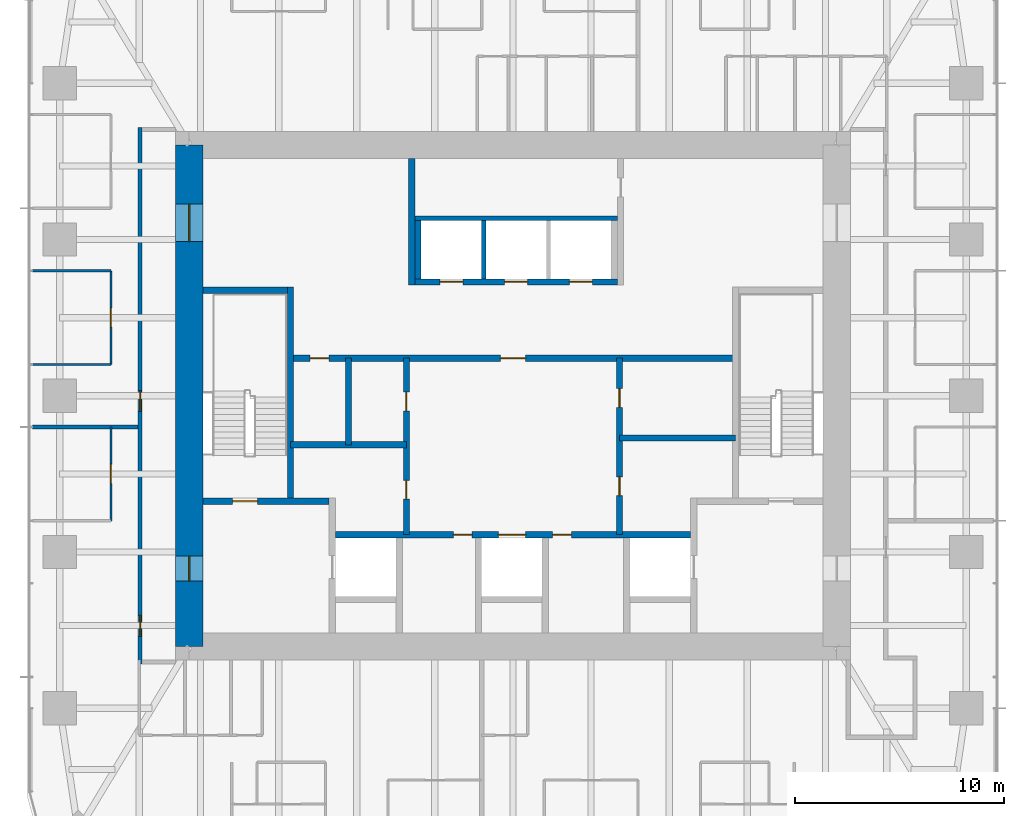
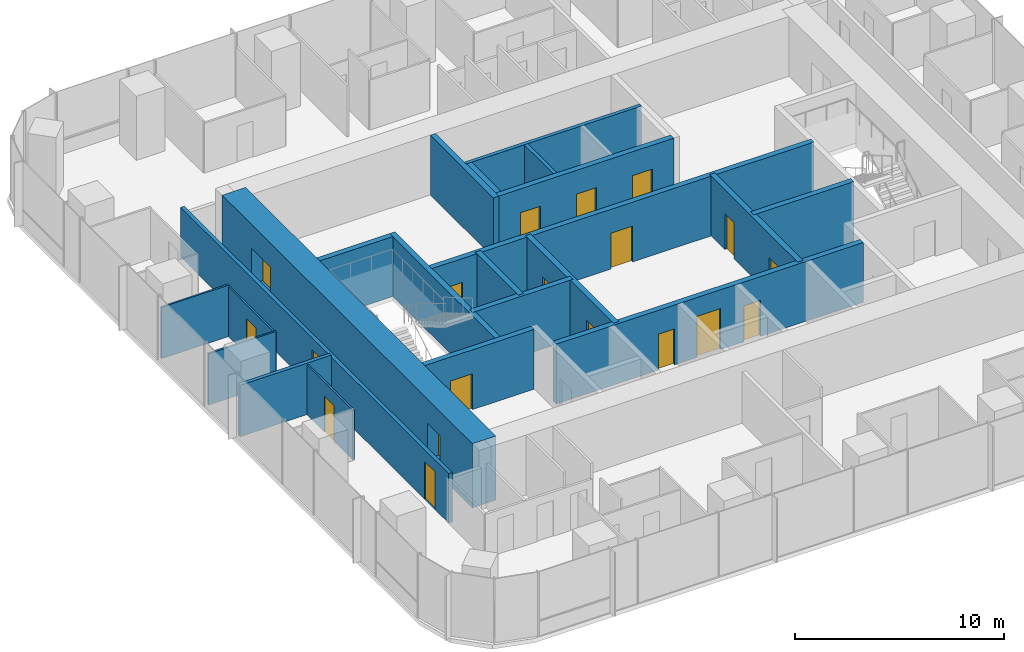
# One storey, part 9 of 12: 22 walls, 19 doors, 19 openings.
"""IFC4 building model written with IfcOpenShell, lengths in metres."""

import ifcopenshell
import ifcopenshell.guid

model = None  # the IFC model being written
_history = None  # IfcOwnerHistory: only IFC2X3 demands one
_inside = {}  # id of a spatial element -> (the spatial element, [elements in it])
_under = {}  # id of a project, library or spatial element -> (it, [spatial elements below it])
_declared = {}  # id of a project -> (the project, [libraries it declares])
_typed = {}  # id of a type object -> (the type object, [elements of that type])
_made_of = {}  # id of a material, layer set ... -> (it, [elements and type objects made of it])


def new_model(schema):
    """Start an empty IFC model of exactly this schema.

    Asked for "IFC4X3", IfcOpenShell would pick the latest addendum, in which some entities
    have other attributes; the version numbers below select the first issue.
    IFC2X3 requires an IfcOwnerHistory on every rooted entity: one is made here for all.
    """
    global model, _history
    if schema == "IFC4X3":
        model = ifcopenshell.file(schema_version=(4, 3, 0, 0))
    else:
        model = ifcopenshell.file(schema=schema)
    _inside.clear()
    _under.clear()
    _declared.clear()
    _typed.clear()
    _made_of.clear()
    _history = None
    if model.schema == "IFC2X3":
        org = make("IfcOrganization", Name="unknown")
        user = make(
            "IfcPersonAndOrganization",
            ThePerson=make("IfcPerson", FamilyName="unknown"),
            TheOrganization=org,
        )
        app = make(
            "IfcApplication",
            ApplicationDeveloper=org,
            Version="unknown",
            ApplicationFullName="unknown",
            ApplicationIdentifier="unknown",
        )
        _history = make(
            "IfcOwnerHistory",
            OwningUser=user,
            OwningApplication=app,
            ChangeAction="ADDED",
            CreationDate=0,
        )
    return model


def make(cls, **values):
    """One entity of the class cls with the attributes given. An attribute that is None is left unset."""
    return model.create_entity(
        cls, **{name: value for name, value in values.items() if value is not None}
    )


def rooted(cls, **values):
    """An entity with a GlobalId (a new one), such as an element, a storey or a relation."""
    return make(cls, GlobalId=ifcopenshell.guid.new(), OwnerHistory=_history, **values)


def si_unit(unit_type, name, prefix=None):
    """IfcSIUnit, for example si_unit("LENGTHUNIT", "METRE", prefix="MILLI")."""
    return make("IfcSIUnit", UnitType=unit_type, Prefix=prefix, Name=name)


def assignment(units):
    """IfcUnitAssignment: the units of a project."""
    return None if units is None else make("IfcUnitAssignment", Units=units)


def point(xyz):
    """IfcCartesianPoint."""
    return None if xyz is None else make("IfcCartesianPoint", Coordinates=xyz)


def direction(xyz):
    """IfcDirection."""
    return None if xyz is None else make("IfcDirection", DirectionRatios=xyz)


def frame(location, z_axis=None, x_axis=None):
    """IfcAxis2Placement3D, a coordinate frame: its origin and axes. An axis left out is left unset."""
    return make(
        "IfcAxis2Placement3D",
        Location=point(location),
        Axis=direction(z_axis),
        RefDirection=direction(x_axis),
    )


def frame_2d(location, x_axis=None):
    """IfcAxis2Placement2D, a coordinate frame in the plane: its origin and x axis."""
    return make(
        "IfcAxis2Placement2D", Location=point(location), RefDirection=direction(x_axis)
    )


def origin():
    """The frame at (0, 0, 0) with its axes left unset."""
    return frame((0.0, 0.0, 0.0))


def place(relative_to, where):
    """IfcLocalPlacement: puts the frame where relative to a parent placement (None: the world)."""
    return make(
        "IfcLocalPlacement", PlacementRelTo=relative_to, RelativePlacement=where
    )


def context(
    kind, dimensions, precision=None, world=None, true_north=None, identifier=None
):
    """IfcGeometricRepresentationContext, for example the 3D "Model" context."""
    return make(
        "IfcGeometricRepresentationContext",
        ContextIdentifier=identifier,
        ContextType=kind,
        CoordinateSpaceDimension=dimensions,
        Precision=precision,
        WorldCoordinateSystem=world,
        TrueNorth=true_north,
    )


def subcontext(parent, identifier, kind, view, scale=None):
    """IfcGeometricRepresentationSubContext, for example "Body" below "Model"."""
    return make(
        "IfcGeometricRepresentationSubContext",
        ContextIdentifier=identifier,
        ContextType=kind,
        ParentContext=parent,
        TargetScale=scale,
        TargetView=view,
    )


def project(units=None, contexts=None):
    """IfcProject with its units and contexts."""
    return rooted(
        "IfcProject",
        Name="project",
        RepresentationContexts=contexts,
        UnitsInContext=assignment(units),
    )


def spatial(cls, under=None, at=None, **own):
    """A site, building, storey or space (cls), placed at a placement, below another one or the project."""
    s = rooted(cls, ObjectPlacement=at, **own)
    if under is not None:
        _under.setdefault(under.id(), (under, []))[1].append(s)
    return s


def profile(cls, at=None, kind="AREA", **sizes):
    """A parametric profile (cls). Its sizes go by their IFC names, for example OverallWidth=200.0."""
    return make(cls, ProfileType=kind, Position=at, **sizes)


def rectangle(**sizes):
    """IfcRectangleProfileDef."""
    return profile("IfcRectangleProfileDef", **sizes)


def extrude(swept, where, along, depth):
    """IfcExtrudedAreaSolid: the profile swept, set in the frame where, extruded along a direction by depth."""
    return make(
        "IfcExtrudedAreaSolid",
        SweptArea=swept,
        Position=where,
        ExtrudedDirection=direction(along),
        Depth=depth,
    )


def shape(context_of_items, identifier, shape_type, items):
    """IfcShapeRepresentation: the items that make up one representation, for example the "Body"."""
    return make(
        "IfcShapeRepresentation",
        ContextOfItems=context_of_items,
        RepresentationIdentifier=identifier,
        RepresentationType=shape_type,
        Items=items,
    )


def material(Name=None, Category=None):
    """IfcMaterial."""
    return make("IfcMaterial", Name=Name, Category=Category)


def layer(
    of_material, thickness, ventilated=None, Name=None, Category=None, Priority=None
):
    """IfcMaterialLayer: one layer of a wall or slab, of a material (None: an air gap)."""
    return make(
        "IfcMaterialLayer",
        Material=of_material,
        LayerThickness=thickness,
        IsVentilated=ventilated,
        Name=Name,
        Category=Category,
        Priority=Priority,
    )


def layer_set(layers, Name=None):
    """IfcMaterialLayerSet."""
    return make("IfcMaterialLayerSet", MaterialLayers=layers, LayerSetName=Name)


def made_of(thing, what):
    """Note that an element or type object is made of a material, layer set ...; save() writes the relation."""
    if what is not None:
        _made_of.setdefault(what.id(), (what, []))[1].append(thing)
    return thing


def type_object(cls, material=None, **own):
    """A type object (cls), such as IfcWallType, which elements share."""
    return made_of(rooted(cls, **own), material)


def element(
    cls,
    number,
    at=None,
    inside=None,
    cuts=None,
    type_object=None,
    material=None,
    context=None,
    identifier="Body",
    shape_type=None,
    held_by="IfcProductDefinitionShape",
    body=None,
    shapes=None,
    **own,
):
    """One element of the class cls, such as IfcWall. Its Tag is "e" and its number.

    at: its placement. inside: the storey or other place that contains it. cuts: it is an
    opening in that element (IfcRelVoidsElement). A single representation is given by context,
    identifier, shape_type and body (its items); several are given by shapes. held_by: the class
    of the entity that holds the representations. save() writes the other relations.
    """
    e = rooted(cls, Tag="e%d" % number, ObjectPlacement=at, **own)
    if body is not None:
        shapes = [shape(context, identifier, shape_type, body)]
    if shapes is not None:
        e.Representation = make(held_by, Representations=shapes)
    if inside is not None:
        _inside.setdefault(inside.id(), (inside, []))[1].append(e)
    if cuts is not None:
        rooted(
            "IfcRelVoidsElement", RelatingBuildingElement=cuts, RelatedOpeningElement=e
        )
    if type_object is not None:
        _typed.setdefault(type_object.id(), (type_object, []))[1].append(e)
    return made_of(e, material)


def fill(opening, filler):
    """IfcRelFillsElement: the door or window that sits in an opening."""
    return rooted(
        "IfcRelFillsElement",
        RelatingOpeningElement=opening,
        RelatedBuildingElement=filler,
    )


def aggregate(whole, parts):
    """IfcRelAggregates: a whole, such as a stair, and the parts it consists of."""
    return rooted("IfcRelAggregates", RelatingObject=whole, RelatedObjects=parts)


def save(model, path):
    """Write the relations noted so far, then the file.

    IfcRelAggregates (storeys below a building ...), IfcRelContainedInSpatialStructure (elements
    in a storey), IfcRelDefinesByType, IfcRelAssociatesMaterial and IfcRelDeclares: one each for
    every whole, place, type object, material and project.
    """
    for whole, parts in _under.values():
        aggregate(whole, parts)
    for where, things in _inside.values():
        rooted(
            "IfcRelContainedInSpatialStructure",
            RelatedElements=things,
            RelatingStructure=where,
        )
    for kind, things in _typed.values():
        rooted("IfcRelDefinesByType", RelatedObjects=things, RelatingType=kind)
    for what, things in _made_of.values():
        rooted("IfcRelAssociatesMaterial", RelatedObjects=things, RelatingMaterial=what)
    for by, libraries in _declared.values():
        rooted("IfcRelDeclares", RelatingContext=by, RelatedDefinitions=libraries)
    model.write(path)


model = new_model("IFC4")

# Units and contexts
model_context = context("Model", 3, precision=1e-05, world=origin(), true_north=direction((0.0, 1.0)))
body_context = subcontext(model_context, "Body", "Model", "MODEL_VIEW")
ifc_project = project(units=[si_unit("LENGTHUNIT", "METRE"), si_unit("AREAUNIT", "SQUARE_METRE"), si_unit("VOLUMEUNIT", "CUBIC_METRE"), si_unit("PLANEANGLEUNIT", "RADIAN"), si_unit("MASSUNIT", "GRAM", prefix="KILO")], contexts=[model_context])

# Site, building, storey
site_placement = place(None, origin())
site = spatial("IfcSite", under=ifc_project, at=site_placement, CompositionType="ELEMENT")
building_placement = place(site_placement, origin())
building = spatial("IfcBuilding", under=site, at=building_placement, Name="Khuree Lantern Residences", CompositionType="ELEMENT")
storey_placement = place(building_placement, frame((0.0, 0.0, 330.75)))
storey = spatial("IfcBuildingStorey", under=building, at=storey_placement, Name="L83", CompositionType="ELEMENT", Elevation=330.75)

# Wall, openings, doors
ifc_material_1 = material(Name="Dense concrete blockwork", Category="masonry")
ifc_layer_1 = layer(ifc_material_1, 0.300048828125)
ifc_layer_set_1 = layer_set([ifc_layer_1], Name="CORE PARTITION WALL CPW300 EI 120")
wall_type_1 = type_object("IfcWallType", Name="CORE PARTITION WALL CPW300 EI 120", PredefinedType="PARTITIONING", material=ifc_layer_set_1)
wall_1_placement = place(storey_placement, frame((-8.5, -6.64990234375, 0.0), z_axis=(0.0, 0.0, 1.0), x_axis=(1.0, 0.0, 0.0)))
wall_1 = element("IfcWall", 1, at=wall_1_placement, inside=storey, type_object=wall_type_1, Name="L83 CORE WALL FLROW", PredefinedType="PARTITIONING", context=body_context, shape_type="SweptSolid", body=[
    extrude(rectangle(XDim=17.0, YDim=0.300048828125, at=frame_2d((8.5, 0.0))), origin(), (0.0, 0.0, 1.0), 3.5),
])
opening_1_placement = place(wall_1_placement, frame((7.800048828125, 0.0, 0.0)))
opening_1 = element("IfcOpeningElement", 2, at=opening_1_placement, cuts=wall_1, Name="Opening 83-012", PredefinedType="OPENING", context=body_context, shape_type="SweptSolid", body=[
    extrude(rectangle(XDim=1.300048828125, YDim=2.39990234375, at=frame_2d((0.64990234375, 1.199951171875))), frame((0.0, 0.16015625, 0.0), z_axis=(0.0, -1.0, 0.0), x_axis=(1.0, 0.0, 0.0)), (0.0, 0.0, 1.0), 0.320068359375),
])
opening_2_placement = place(wall_1_placement, frame((5.64990234375, 0.0, 0.0)))
opening_2 = element("IfcOpeningElement", 3, at=opening_2_placement, cuts=wall_1, Name="Opening 83-014", PredefinedType="OPENING", context=body_context, shape_type="SweptSolid", body=[
    extrude(rectangle(XDim=0.89990234375, YDim=2.10009765625, at=frame_2d((0.449951171875, 1.050048828125))), frame((0.0, 0.16015625, 0.0), z_axis=(0.0, -1.0, 0.0), x_axis=(1.0, 0.0, 0.0)), (0.0, 0.0, 1.0), 0.320068359375),
])
opening_3_placement = place(wall_1_placement, frame((10.39990234375, 0.0, 0.0)))
opening_3 = element("IfcOpeningElement", 4, at=opening_3_placement, cuts=wall_1, Name="Opening 83-015", PredefinedType="OPENING", context=body_context, shape_type="SweptSolid", body=[
    extrude(rectangle(XDim=0.89990234375, YDim=2.10009765625, at=frame_2d((0.449951171875, 1.050048828125))), frame((0.0, 0.16015625, 0.0), z_axis=(0.0, -1.0, 0.0), x_axis=(1.0, 0.0, 0.0)), (0.0, 0.0, 1.0), 0.320068359375),
])
ifc_material_2 = material(Name="Steel door leaf in steel frame", Category="steel")
door_type_1 = type_object("IfcDoorType", Name="DOOR 900X2100 EI 60", OperationType="SINGLE_SWING_LEFT", PredefinedType="DOOR", material=ifc_material_2)
door_1_placement = place(opening_2_placement, origin())
door_1 = element("IfcDoor", 5, at=door_1_placement, inside=storey, type_object=door_type_1, Name="Refuse chute room door 83-014", OperationType="SINGLE_SWING_LEFT", OverallHeight=2.10009765625, OverallWidth=0.89990234375, PredefinedType="DOOR", context=body_context, shape_type="SweptSolid", body=[
    extrude(rectangle(XDim=0.89990234375, YDim=2.10009765625, at=frame_2d((0.449951171875, 1.050048828125))), frame((0.0, 0.02490234375, 0.0), z_axis=(0.0, -1.0, 0.0), x_axis=(1.0, 0.0, 0.0)), (0.0, 0.0, 1.0), 0.050048828125),
])
fill(opening_2, door_1)
door_type_2 = type_object("IfcDoorType", Name="DOOR 900X2100 EI 60 RIGHT HAND", OperationType="SINGLE_SWING_RIGHT", PredefinedType="DOOR", material=ifc_material_2)
door_2_placement = place(opening_3_placement, origin())
door_2 = element("IfcDoor", 6, at=door_2_placement, inside=storey, type_object=door_type_2, Name="Electrical and plumbing riser door 83-015", OperationType="SINGLE_SWING_RIGHT", OverallHeight=2.10009765625, OverallWidth=0.89990234375, PredefinedType="DOOR", context=body_context, shape_type="SweptSolid", body=[
    extrude(rectangle(XDim=0.89990234375, YDim=2.10009765625, at=frame_2d((0.449951171875, 1.050048828125))), frame((0.0, 0.02490234375, 0.0), z_axis=(0.0, -1.0, 0.0), x_axis=(1.0, 0.0, 0.0)), (0.0, 0.0, 1.0), 0.050048828125),
])
fill(opening_3, door_2)
ifc_material_3 = material(Name="Stainless steel lift landing door", Category="steel")
door_type_3 = type_object("IfcDoorType", Name="LIFT LANDING DOOR 1300X2400 E 60", OperationType="DOUBLE_DOOR_SLIDING", PredefinedType="DOOR", material=ifc_material_3)
door_3_placement = place(opening_1_placement, origin())
door_3 = element("IfcDoor", 7, at=door_3_placement, inside=storey, type_object=door_type_3, Name="Landing door SL1 83-012", OperationType="DOUBLE_DOOR_SLIDING", OverallHeight=2.39990234375, OverallWidth=1.300048828125, PredefinedType="DOOR", context=body_context, shape_type="SweptSolid", body=[
    extrude(rectangle(XDim=1.300048828125, YDim=2.39990234375, at=frame_2d((0.64990234375, 1.199951171875))), frame((0.0, 0.02490234375, 0.0), z_axis=(0.0, -1.0, 0.0), x_axis=(1.0, 0.0, 0.0)), (0.0, 0.0, 1.0), 0.050048828125),
])
fill(opening_1, door_3)

wall_2_placement = place(storey_placement, frame((-4.699951171875, 5.449951171875, 0.0), z_axis=(0.0, 0.0, 1.0), x_axis=(1.0, 0.0, 0.0)))
wall_2 = element("IfcWall", 8, at=wall_2_placement, inside=storey, type_object=wall_type_1, Name="L83 CORE WALL PHS", PredefinedType="PARTITIONING", context=body_context, shape_type="SweptSolid", body=[
    extrude(rectangle(XDim=9.699951171875, YDim=0.300048828125, at=frame_2d((4.85009765625, 0.0))), origin(), (0.0, 0.0, 1.0), 3.5),
])
opening_4_placement = place(wall_2_placement, frame((1.199951171875, 0.0, 0.0)))
opening_4 = element("IfcOpeningElement", 9, at=opening_4_placement, cuts=wall_2, Name="Opening 83-009", PredefinedType="OPENING", context=body_context, shape_type="SweptSolid", body=[
    extrude(rectangle(XDim=1.10009765625, YDim=2.10009765625, at=frame_2d((0.550048828125, 1.050048828125))), frame((0.0, 0.16015625, 0.0), z_axis=(0.0, -1.0, 0.0), x_axis=(1.0, 0.0, 0.0)), (0.0, 0.0, 1.0), 0.320068359375),
])
opening_5_placement = place(wall_2_placement, frame((4.300048828125, 0.0, 0.0)))
opening_5 = element("IfcOpeningElement", 10, at=opening_5_placement, cuts=wall_2, Name="Opening 83-010", PredefinedType="OPENING", context=body_context, shape_type="SweptSolid", body=[
    extrude(rectangle(XDim=1.10009765625, YDim=2.10009765625, at=frame_2d((0.550048828125, 1.050048828125))), frame((0.0, 0.16015625, 0.0), z_axis=(0.0, -1.0, 0.0), x_axis=(1.0, 0.0, 0.0)), (0.0, 0.0, 1.0), 0.320068359375),
])
opening_6_placement = place(wall_2_placement, frame((7.39990234375, 0.0, 0.0)))
opening_6 = element("IfcOpeningElement", 11, at=opening_6_placement, cuts=wall_2, Name="Opening 83-011", PredefinedType="OPENING", context=body_context, shape_type="SweptSolid", body=[
    extrude(rectangle(XDim=1.10009765625, YDim=2.10009765625, at=frame_2d((0.550048828125, 1.050048828125))), frame((0.0, 0.16015625, 0.0), z_axis=(0.0, -1.0, 0.0), x_axis=(1.0, 0.0, 0.0)), (0.0, 0.0, 1.0), 0.320068359375),
])
door_type_4 = type_object("IfcDoorType", Name="LIFT LANDING DOOR 1100X2100 E 60", OperationType="DOUBLE_DOOR_SLIDING", PredefinedType="DOOR", material=ifc_material_3)
door_4_placement = place(opening_4_placement, origin())
door_4 = element("IfcDoor", 12, at=door_4_placement, inside=storey, type_object=door_type_4, Name="Landing door PH1 83-009", OperationType="DOUBLE_DOOR_SLIDING", OverallHeight=2.10009765625, OverallWidth=1.10009765625, PredefinedType="DOOR", context=body_context, shape_type="SweptSolid", body=[
    extrude(rectangle(XDim=1.10009765625, YDim=2.10009765625, at=frame_2d((0.550048828125, 1.050048828125))), frame((0.0, 0.02490234375, 0.0), z_axis=(0.0, -1.0, 0.0), x_axis=(1.0, 0.0, 0.0)), (0.0, 0.0, 1.0), 0.050048828125),
])
fill(opening_4, door_4)
door_5_placement = place(opening_5_placement, origin())
door_5 = element("IfcDoor", 13, at=door_5_placement, inside=storey, type_object=door_type_4, Name="Landing door PH2 83-010", OperationType="DOUBLE_DOOR_SLIDING", OverallHeight=2.10009765625, OverallWidth=1.10009765625, PredefinedType="DOOR", context=body_context, shape_type="SweptSolid", body=[
    extrude(rectangle(XDim=1.10009765625, YDim=2.10009765625, at=frame_2d((0.550048828125, 1.050048828125))), frame((0.0, 0.02490234375, 0.0), z_axis=(0.0, -1.0, 0.0), x_axis=(1.0, 0.0, 0.0)), (0.0, 0.0, 1.0), 0.050048828125),
])
fill(opening_5, door_5)
door_6_placement = place(opening_6_placement, origin())
door_6 = element("IfcDoor", 14, at=door_6_placement, inside=storey, type_object=door_type_4, Name="Landing door PH3 83-011", OperationType="DOUBLE_DOOR_SLIDING", OverallHeight=2.10009765625, OverallWidth=1.10009765625, PredefinedType="DOOR", context=body_context, shape_type="SweptSolid", body=[
    extrude(rectangle(XDim=1.10009765625, YDim=2.10009765625, at=frame_2d((0.550048828125, 1.050048828125))), frame((0.0, 0.02490234375, 0.0), z_axis=(0.0, -1.0, 0.0), x_axis=(1.0, 0.0, 0.0)), (0.0, 0.0, 1.0), 0.050048828125),
])
fill(opening_6, door_6)

# Wall
wall_3_placement = place(storey_placement, frame((-4.550048828125, 5.60009765625, 0.0), z_axis=(0.0, 0.0, 1.0), x_axis=(0.0, 1.0, 0.0)))
element("IfcWall", 15, at=wall_3_placement, inside=storey, type_object=wall_type_1, Name="L83 CORE WALL PHW", PredefinedType="PARTITIONING", context=body_context, shape_type="SweptSolid", body=[
    extrude(rectangle(XDim=2.7998046875, YDim=0.300048828125, at=frame_2d((1.39990234375, 0.0))), origin(), (0.0, 0.0, 1.0), 3.5),
])

# Wall, openings, doors
wall_4_placement = place(storey_placement, frame((-10.64990234375, 1.800048828125, 0.0), z_axis=(0.0, 0.0, 1.0), x_axis=(1.0, 0.0, 0.0)))
wall_4 = element("IfcWall", 16, at=wall_4_placement, inside=storey, type_object=wall_type_1, Name="L83 CORE WALL LLS", PredefinedType="PARTITIONING", context=body_context, shape_type="SweptSolid", body=[
    extrude(rectangle(XDim=21.2998046875, YDim=0.300048828125, at=frame_2d((10.64990234375, 0.0))), origin(), (0.0, 0.0, 1.0), 3.5),
])
opening_7_placement = place(wall_4_placement, frame((10.050048828125, 0.0, 0.0)))
opening_7 = element("IfcOpeningElement", 17, at=opening_7_placement, cuts=wall_4, Name="Opening 83-013", PredefinedType="OPENING", context=body_context, shape_type="SweptSolid", body=[
    extrude(rectangle(XDim=1.199951171875, YDim=2.10009765625, at=frame_2d((0.60009765625, 1.050048828125))), frame((0.0, 0.16015625, 0.0), z_axis=(0.0, -1.0, 0.0), x_axis=(1.0, 0.0, 0.0)), (0.0, 0.0, 1.0), 0.320068359375),
])
opening_8_placement = place(wall_4_placement, frame((0.93798828125, 0.0, 0.0)))
opening_8 = element("IfcOpeningElement", 18, at=opening_8_placement, cuts=wall_4, Name="Opening 83-018", PredefinedType="OPENING", context=body_context, shape_type="SweptSolid", body=[
    extrude(rectangle(XDim=0.89990234375, YDim=2.10009765625, at=frame_2d((0.449951171875, 1.050048828125))), frame((0.0, 0.16015625, 0.0), z_axis=(0.0, -1.0, 0.0), x_axis=(1.0, 0.0, 0.0)), (0.0, 0.0, 1.0), 0.320068359375),
])
door_type_5 = type_object("IfcDoorType", Name="DOOR 1200X2100 EI 60", OperationType="SINGLE_SWING_LEFT", PredefinedType="DOOR", material=ifc_material_2)
door_7_placement = place(opening_7_placement, origin())
door_7 = element("IfcDoor", 19, at=door_7_placement, inside=storey, type_object=door_type_5, Name="Service lift lobby door 83-013", OperationType="SINGLE_SWING_LEFT", OverallHeight=2.10009765625, OverallWidth=1.199951171875, PredefinedType="DOOR", context=body_context, shape_type="SweptSolid", body=[
    extrude(rectangle(XDim=1.199951171875, YDim=2.10009765625, at=frame_2d((0.60009765625, 1.050048828125))), frame((0.0, 0.02490234375, 0.0), z_axis=(0.0, -1.0, 0.0), x_axis=(1.0, 0.0, 0.0)), (0.0, 0.0, 1.0), 0.050048828125),
])
fill(opening_7, door_7)
ifc_material_4 = material(Name="Timber door leaf in hardwood frame", Category="wood")
door_type_6 = type_object("IfcDoorType", Name="DOOR 900X2100", OperationType="SINGLE_SWING_LEFT", PredefinedType="DOOR", material=ifc_material_4)
door_8_placement = place(opening_8_placement, origin())
door_8 = element("IfcDoor", 20, at=door_8_placement, inside=storey, type_object=door_type_6, Name="IT room door 83-018", OperationType="SINGLE_SWING_LEFT", OverallHeight=2.10009765625, OverallWidth=0.89990234375, PredefinedType="DOOR", context=body_context, shape_type="SweptSolid", body=[
    extrude(rectangle(XDim=0.89990234375, YDim=2.10009765625, at=frame_2d((0.449951171875, 1.050048828125))), frame((0.0, 0.02490234375, 0.0), z_axis=(0.0, -1.0, 0.0), x_axis=(1.0, 0.0, 0.0)), (0.0, 0.0, 1.0), 0.050048828125),
])
fill(opening_8, door_8)

wall_5_placement = place(storey_placement, frame((-5.10009765625, -6.64990234375, 0.0), z_axis=(0.0, 0.0, 1.0), x_axis=(0.0, 1.0, 0.0)))
wall_5 = element("IfcWall", 21, at=wall_5_placement, inside=storey, type_object=wall_type_1, Name="L83 CORE WALL SVW", PredefinedType="PARTITIONING", context=body_context, shape_type="SweptSolid", body=[
    extrude(rectangle(XDim=8.449951171875, YDim=0.300048828125, at=frame_2d((4.22509765625, 0.0))), origin(), (0.0, 0.0, 1.0), 3.5),
])
opening_9_placement = place(wall_5_placement, frame((1.699951171875, 0.0, 0.0)))
opening_9 = element("IfcOpeningElement", 22, at=opening_9_placement, cuts=wall_5, Name="Opening 83-016", PredefinedType="OPENING", context=body_context, shape_type="SweptSolid", body=[
    extrude(rectangle(XDim=0.89990234375, YDim=2.10009765625, at=frame_2d((0.449951171875, 1.050048828125))), frame((0.0, 0.16015625, 0.0), z_axis=(0.0, -1.0, 0.0), x_axis=(1.0, 0.0, 0.0)), (0.0, 0.0, 1.0), 0.320068359375),
])
opening_10_placement = place(wall_5_placement, frame((5.925048828125, 0.0, 0.0)))
opening_10 = element("IfcOpeningElement", 23, at=opening_10_placement, cuts=wall_5, Name="Opening 83-017", PredefinedType="OPENING", context=body_context, shape_type="SweptSolid", body=[
    extrude(rectangle(XDim=0.89990234375, YDim=2.10009765625, at=frame_2d((0.449951171875, 1.050048828125))), frame((0.0, 0.16015625, 0.0), z_axis=(0.0, -1.0, 0.0), x_axis=(1.0, 0.0, 0.0)), (0.0, 0.0, 1.0), 0.320068359375),
])
door_9_placement = place(opening_9_placement, origin())
door_9 = element("IfcDoor", 24, at=door_9_placement, inside=storey, type_object=door_type_6, Name="Bulky waste store door 83-016", OperationType="SINGLE_SWING_LEFT", OverallHeight=2.10009765625, OverallWidth=0.89990234375, PredefinedType="DOOR", context=body_context, shape_type="SweptSolid", body=[
    extrude(rectangle(XDim=0.89990234375, YDim=2.10009765625, at=frame_2d((0.449951171875, 1.050048828125))), frame((0.0, 0.02490234375, 0.0), z_axis=(0.0, -1.0, 0.0), x_axis=(1.0, 0.0, 0.0)), (0.0, 0.0, 1.0), 0.050048828125),
])
fill(opening_9, door_9)
door_10_placement = place(opening_10_placement, origin())
door_10 = element("IfcDoor", 25, at=door_10_placement, inside=storey, type_object=door_type_6, Name="Building management room door 83-017", OperationType="SINGLE_SWING_LEFT", OverallHeight=2.10009765625, OverallWidth=0.89990234375, PredefinedType="DOOR", context=body_context, shape_type="SweptSolid", body=[
    extrude(rectangle(XDim=0.89990234375, YDim=2.10009765625, at=frame_2d((0.449951171875, 1.050048828125))), frame((0.0, 0.02490234375, 0.0), z_axis=(0.0, -1.0, 0.0), x_axis=(1.0, 0.0, 0.0)), (0.0, 0.0, 1.0), 0.050048828125),
])
fill(opening_10, door_10)

wall_6_placement = place(storey_placement, frame((5.10009765625, -6.64990234375, 0.0), z_axis=(0.0, 0.0, 1.0), x_axis=(0.0, 1.0, 0.0)))
wall_6 = element("IfcWall", 26, at=wall_6_placement, inside=storey, type_object=wall_type_1, Name="L83 CORE WALL SVE", PredefinedType="PARTITIONING", context=body_context, shape_type="SweptSolid", body=[
    extrude(rectangle(XDim=8.449951171875, YDim=0.300048828125, at=frame_2d((4.22509765625, 0.0))), origin(), (0.0, 0.0, 1.0), 3.5),
])
opening_11_placement = place(wall_6_placement, frame((1.865966796875, 0.0, 0.0)))
opening_11 = element("IfcOpeningElement", 27, at=opening_11_placement, cuts=wall_6, Name="Opening 83-019", PredefinedType="OPENING", context=body_context, shape_type="SweptSolid", body=[
    extrude(rectangle(XDim=0.89990234375, YDim=2.10009765625, at=frame_2d((0.449951171875, 1.050048828125))), frame((0.0, 0.16015625, 0.0), z_axis=(0.0, -1.0, 0.0), x_axis=(1.0, 0.0, 0.0)), (0.0, 0.0, 1.0), 0.320068359375),
])
opening_12_placement = place(wall_6_placement, frame((6.091064453125, 0.0, 0.0)))
opening_12 = element("IfcOpeningElement", 28, at=opening_12_placement, cuts=wall_6, Name="Opening 83-020", PredefinedType="OPENING", context=body_context, shape_type="SweptSolid", body=[
    extrude(rectangle(XDim=0.89990234375, YDim=2.10009765625, at=frame_2d((0.449951171875, 1.050048828125))), frame((0.0, 0.16015625, 0.0), z_axis=(0.0, -1.0, 0.0), x_axis=(1.0, 0.0, 0.0)), (0.0, 0.0, 1.0), 0.320068359375),
])
door_11_placement = place(opening_11_placement, origin())
door_11 = element("IfcDoor", 29, at=door_11_placement, inside=storey, type_object=door_type_6, Name="Parcel room door 83-019", OperationType="SINGLE_SWING_LEFT", OverallHeight=2.10009765625, OverallWidth=0.89990234375, PredefinedType="DOOR", context=body_context, shape_type="SweptSolid", body=[
    extrude(rectangle(XDim=0.89990234375, YDim=2.10009765625, at=frame_2d((0.449951171875, 1.050048828125))), frame((0.0, 0.02490234375, 0.0), z_axis=(0.0, -1.0, 0.0), x_axis=(1.0, 0.0, 0.0)), (0.0, 0.0, 1.0), 0.050048828125),
])
fill(opening_11, door_11)
door_type_7 = type_object("IfcDoorType", Name="DOOR 900X2100 RIGHT HAND", OperationType="SINGLE_SWING_RIGHT", PredefinedType="DOOR", material=ifc_material_4)
door_12_placement = place(opening_12_placement, origin())
door_12 = element("IfcDoor", 30, at=door_12_placement, inside=storey, type_object=door_type_7, Name="Bulky waste store door 83-020", OperationType="SINGLE_SWING_RIGHT", OverallHeight=2.10009765625, OverallWidth=0.89990234375, PredefinedType="DOOR", context=body_context, shape_type="SweptSolid", body=[
    extrude(rectangle(XDim=0.89990234375, YDim=2.10009765625, at=frame_2d((0.449951171875, 1.050048828125))), frame((0.0, 0.02490234375, 0.0), z_axis=(0.0, -1.0, 0.0), x_axis=(1.0, 0.0, 0.0)), (0.0, 0.0, 1.0), 0.050048828125),
])
fill(opening_12, door_12)

# Walls
wall_7_placement = place(storey_placement, frame((-10.64990234375, -2.35009765625, 0.0), z_axis=(0.0, 0.0, 1.0), x_axis=(1.0, 0.0, 0.0)))
element("IfcWall", 31, at=wall_7_placement, inside=storey, type_object=wall_type_1, Name="L83 CORE WALL WX", PredefinedType="PARTITIONING", context=body_context, shape_type="SweptSolid", body=[
    extrude(rectangle(XDim=5.5498046875, YDim=0.300048828125, at=frame_2d((2.77490234375, 0.0))), origin(), (0.0, 0.0, 1.0), 3.5),
])
wall_8_placement = place(storey_placement, frame((-7.875, -2.35009765625, 0.0), z_axis=(0.0, 0.0, 1.0), x_axis=(0.0, 1.0, 0.0)))
element("IfcWall", 32, at=wall_8_placement, inside=storey, type_object=wall_type_1, Name="L83 CORE WALL WV", PredefinedType="PARTITIONING", context=body_context, shape_type="SweptSolid", body=[
    extrude(rectangle(XDim=4.150146484375, YDim=0.300048828125, at=frame_2d((2.0751953125, 0.0))), origin(), (0.0, 0.0, 1.0), 3.5),
])
wall_9_placement = place(storey_placement, frame((10.64990234375, -2.01806640625, 0.0), z_axis=(0.0, 0.0, 1.0), x_axis=(-1.0, 0.0, 0.0)))
element("IfcWall", 33, at=wall_9_placement, inside=storey, type_object=wall_type_1, Name="L83 CORE WALL EX", PredefinedType="PARTITIONING", context=body_context, shape_type="SweptSolid", body=[
    extrude(rectangle(XDim=5.5498046875, YDim=0.300048828125, at=frame_2d((2.77490234375, 0.0))), origin(), (0.0, 0.0, 1.0), 3.5),
])
wall_10_placement = place(storey_placement, frame((-4.85009765625, 5.300048828125, 0.0), z_axis=(0.0, 0.0, 1.0), x_axis=(0.0, 1.0, 0.0)))
element("IfcWall", 34, at=wall_10_placement, inside=storey, type_object=wall_type_1, Name="L83 CORE WALL NW", PredefinedType="PARTITIONING", context=body_context, shape_type="SweptSolid", body=[
    extrude(rectangle(XDim=6.050048828125, YDim=0.300048828125, at=frame_2d((3.02490234375, 0.0))), origin(), (0.0, 0.0, 1.0), 3.5),
])

# Wall, openings, doors
ifc_material_5 = material(Name="Gypsum board on steel studs", Category="steel")
ifc_layer_2 = layer(ifc_material_5, 0.199951171875)
ifc_layer_set_2 = layer_set([ifc_layer_2], Name="CORRIDOR WALL CRW200 EI 60")
wall_type_2 = type_object("IfcWallType", Name="CORRIDOR WALL CRW200 EI 60", PredefinedType="PARTITIONING", material=ifc_layer_set_2)
wall_11_placement = place(storey_placement, frame((-17.85009765625, 12.85009765625, 0.0), z_axis=(0.0, 0.0, 1.0), x_axis=(0.0, -1.0, 0.0)))
wall_11 = element("IfcWall", 35, at=wall_11_placement, inside=storey, type_object=wall_type_2, Name="L83 CORRIDOR WALL WEST 1", PredefinedType="PARTITIONING", context=body_context, shape_type="SweptSolid", body=[
    extrude(rectangle(XDim=25.7001953125, YDim=0.199951171875, at=frame_2d((12.85009765625, 0.0))), origin(), (0.0, 0.0, 1.0), 2.89990234375),
])
opening_13_placement = place(wall_11_placement, frame((12.60009765625, 0.0, 0.0)))
opening_13 = element("IfcOpeningElement", 36, at=opening_13_placement, cuts=wall_11, Name="Opening 83-042", PredefinedType="OPENING", context=body_context, shape_type="SweptSolid", body=[
    extrude(rectangle(XDim=1.0, YDim=2.199951171875, at=frame_2d((0.5, 1.10009765625))), frame((0.0, 0.10986328125, 0.0), z_axis=(0.0, -1.0, 0.0), x_axis=(1.0, 0.0, 0.0)), (0.0, 0.0, 1.0), 0.219970703125),
])
opening_14_placement = place(wall_11_placement, frame((23.365966796875, 0.0, 0.0)))
opening_14 = element("IfcOpeningElement", 37, at=opening_14_placement, cuts=wall_11, Name="Opening 83-050", PredefinedType="OPENING", context=body_context, shape_type="SweptSolid", body=[
    extrude(rectangle(XDim=1.0, YDim=2.199951171875, at=frame_2d((0.5, 1.10009765625))), frame((0.0, 0.10986328125, 0.0), z_axis=(0.0, -1.0, 0.0), x_axis=(1.0, 0.0, 0.0)), (0.0, 0.0, 1.0), 0.219970703125),
])
door_type_8 = type_object("IfcDoorType", Name="APARTMENT ENTRANCE DOOR 1000X2200 EI 30S", OperationType="SINGLE_SWING_LEFT", PredefinedType="DOOR", material=ifc_material_4)
door_13_placement = place(opening_13_placement, origin())
door_13 = element("IfcDoor", 38, at=door_13_placement, inside=storey, type_object=door_type_8, Name="Apartment 02 entrance door 83-042", OperationType="SINGLE_SWING_LEFT", OverallHeight=2.199951171875, OverallWidth=1.0, PredefinedType="DOOR", context=body_context, shape_type="SweptSolid", body=[
    extrude(rectangle(XDim=1.0, YDim=2.199951171875, at=frame_2d((0.5, 1.10009765625))), frame((0.0, 0.02490234375, 0.0), z_axis=(0.0, -1.0, 0.0), x_axis=(1.0, 0.0, 0.0)), (0.0, 0.0, 1.0), 0.050048828125),
])
fill(opening_13, door_13)
door_type_9 = type_object("IfcDoorType", Name="APARTMENT ENTRANCE DOOR 1000X2200 EI 30S RIGHT HAND", OperationType="SINGLE_SWING_RIGHT", PredefinedType="DOOR", material=ifc_material_4)
door_14_placement = place(opening_14_placement, origin())
door_14 = element("IfcDoor", 39, at=door_14_placement, inside=storey, type_object=door_type_9, Name="Apartment 03 entrance door 83-050", OperationType="SINGLE_SWING_RIGHT", OverallHeight=2.199951171875, OverallWidth=1.0, PredefinedType="DOOR", context=body_context, shape_type="SweptSolid", body=[
    extrude(rectangle(XDim=1.0, YDim=2.199951171875, at=frame_2d((0.5, 1.10009765625))), frame((0.0, 0.02490234375, 0.0), z_axis=(0.0, -1.0, 0.0), x_axis=(1.0, 0.0, 0.0)), (0.0, 0.0, 1.0), 0.050048828125),
])
fill(opening_14, door_14)

ifc_material_6 = material(Name="Concrete C50/60", Category="concrete")
ifc_layer_3 = layer(ifc_material_6, 1.300048828125)
ifc_layer_set_3 = layer_set([ifc_layer_3], Name="CW1300-C50 CORE WALL C50 1300")
wall_type_3 = type_object("IfcWallType", Name="CW1300-C50 CORE WALL C50 1300", PredefinedType="SHEAR", material=ifc_layer_set_3)
wall_12_placement = place(storey_placement, frame((-15.5, -12.0, -0.25), z_axis=(0.0, 0.0, 1.0), x_axis=(0.0, 1.0, 0.0)))
wall_12 = element("IfcWall", 40, at=wall_12_placement, inside=storey, type_object=wall_type_3, Name="Core wall W", PredefinedType="SHEAR", context=body_context, shape_type="SweptSolid", body=[
    extrude(rectangle(XDim=24.0, YDim=1.300048828125, at=frame_2d((12.0, 0.0))), origin(), (0.0, 0.0, 1.0), 3.75),
])
opening_15_placement = place(wall_12_placement, frame((3.125, 0.0, 0.25)))
opening_15 = element("IfcOpeningElement", 41, at=opening_15_placement, cuts=wall_12, Name="Opening 83-002", PredefinedType="OPENING", context=body_context, shape_type="SweptSolid", body=[
    extrude(rectangle(XDim=1.199951171875, YDim=2.10009765625, at=frame_2d((0.60009765625, 1.050048828125))), frame((0.0, 0.66015625, 0.0), z_axis=(0.0, -1.0, 0.0), x_axis=(1.0, 0.0, 0.0)), (0.0, 0.0, 1.0), 1.320068359375),
])
opening_16_placement = place(wall_12_placement, frame((19.375, 0.0, 0.25)))
opening_16 = element("IfcOpeningElement", 42, at=opening_16_placement, cuts=wall_12, Name="Opening 83-003", PredefinedType="OPENING", context=body_context, shape_type="SweptSolid", body=[
    extrude(rectangle(XDim=1.800048828125, YDim=2.10009765625, at=frame_2d((0.89990234375, 1.050048828125))), frame((0.0, 0.66015625, 0.0), z_axis=(0.0, -1.0, 0.0), x_axis=(1.0, 0.0, 0.0)), (0.0, 0.0, 1.0), 1.320068359375),
])
door_type_10 = type_object("IfcDoorType", Name="LOBBY DOOR 1200X2100 EI 120", OperationType="SINGLE_SWING_LEFT", PredefinedType="DOOR", material=ifc_material_2)
door_15_placement = place(opening_15_placement, origin())
door_15 = element("IfcDoor", 43, at=door_15_placement, inside=storey, type_object=door_type_10, Name="Firefighting lobby door 83-002", OperationType="SINGLE_SWING_LEFT", OverallHeight=2.10009765625, OverallWidth=1.199951171875, PredefinedType="DOOR", context=body_context, shape_type="SweptSolid", body=[
    extrude(rectangle(XDim=1.199951171875, YDim=2.10009765625, at=frame_2d((0.60009765625, 1.050048828125))), frame((0.0, 0.02490234375, 0.0), z_axis=(0.0, -1.0, 0.0), x_axis=(1.0, 0.0, 0.0)), (0.0, 0.0, 1.0), 0.050048828125),
])
fill(opening_15, door_15)
door_type_11 = type_object("IfcDoorType", Name="LOBBY DOUBLE DOOR 1800X2100 EI 60", OperationType="DOUBLE_DOOR_SINGLE_SWING", PredefinedType="DOOR", material=ifc_material_2)
door_16_placement = place(opening_16_placement, origin())
door_16 = element("IfcDoor", 44, at=door_16_placement, inside=storey, type_object=door_type_11, Name="Lift lobby door 83-003", OperationType="DOUBLE_DOOR_SINGLE_SWING", OverallHeight=2.10009765625, OverallWidth=1.800048828125, PredefinedType="DOOR", context=body_context, shape_type="SweptSolid", body=[
    extrude(rectangle(XDim=1.800048828125, YDim=2.10009765625, at=frame_2d((0.89990234375, 1.050048828125))), frame((0.0, 0.02490234375, 0.0), z_axis=(0.0, -1.0, 0.0), x_axis=(1.0, 0.0, 0.0)), (0.0, 0.0, 1.0), 0.050048828125),
])
fill(opening_16, door_16)

# Walls
ifc_layer_4 = layer(ifc_material_5, 0.199951171875)
ifc_layer_set_4 = layer_set([ifc_layer_4], Name="DEMISING WALL DMW200 EI 90")
wall_type_4 = type_object("IfcWallType", Name="DEMISING WALL DMW200 EI 90", PredefinedType="PARTITIONING", material=ifc_layer_set_4)
wall_13_placement = place(storey_placement, frame((-17.949951171875, -1.49609375, 0.0), z_axis=(0.0, 0.0, 1.0), x_axis=(-1.0, 0.0, 0.0)))
element("IfcWall", 45, at=wall_13_placement, inside=storey, type_object=wall_type_4, Name="L83 DEMISING WALL 03", PredefinedType="PARTITIONING", context=body_context, shape_type="SweptSolid", body=[
    extrude(rectangle(XDim=5.050048828125, YDim=0.199951171875, at=frame_2d((2.52490234375, 0.0))), origin(), (0.0, 0.0, 1.0), 3.010009765625),
])
ifc_layer_5 = layer(ifc_material_5, 0.10009765625)
ifc_layer_set_5 = layer_set([ifc_layer_5], Name="PARTITION PT100")
wall_type_5 = type_object("IfcWallType", Name="PARTITION PT100", PredefinedType="PARTITIONING", material=ifc_layer_set_5)
for number, where, z_axis, x_axis, name in (
    (46, (-19.25, 5.98388671875, 0.0), (0.0, 0.0, 1.0), (-1.0, 0.0, 0.0), "L83 PARTITION 02"),
    (47, (-19.25, 1.49609375, 0.0), (0.0, 0.0, 1.0), (-1.0, 0.0, 0.0), "L83 PARTITION 02"),
):
    element("IfcWall", number, at=place(storey_placement, frame(where, z_axis=z_axis, x_axis=x_axis)), inside=storey, type_object=wall_type_5, Name=name, PredefinedType="PARTITIONING", context=body_context, shape_type="SweptSolid", body=[
        extrude(rectangle(XDim=3.75, YDim=0.10009765625, at=frame_2d((1.875, 0.0))), origin(), (0.0, 0.0, 1.0), 3.010009765625),
    ])

# Wall, opening, door
wall_14_placement = place(storey_placement, frame((-19.25, 5.98388671875, 0.0), z_axis=(0.0, 0.0, 1.0), x_axis=(0.0, -1.0, 0.0)))
wall_14 = element("IfcWall", 48, at=wall_14_placement, inside=storey, type_object=wall_type_5, Name="L83 PARTITION 02", PredefinedType="PARTITIONING", context=body_context, shape_type="SweptSolid", body=[
    extrude(rectangle(XDim=4.48779296875, YDim=0.10009765625, at=frame_2d((2.243896484375, 0.0))), origin(), (0.0, 0.0, 1.0), 2.909912109375),
])
opening_17_placement = place(wall_14_placement, frame((1.7939453125, 0.0, 0.0)))
opening_17 = element("IfcOpeningElement", 49, at=opening_17_placement, cuts=wall_14, Name="Opening 83-037", PredefinedType="OPENING", context=body_context, shape_type="SweptSolid", body=[
    extrude(rectangle(XDim=0.89990234375, YDim=2.10009765625, at=frame_2d((0.449951171875, 1.050048828125))), frame((0.0, 0.06005859375, 0.0), z_axis=(0.0, -1.0, 0.0), x_axis=(1.0, 0.0, 0.0)), (0.0, 0.0, 1.0), 0.1201171875),
])
door_type_12 = type_object("IfcDoorType", Name="BEDROOM DOOR 900X2100", OperationType="SINGLE_SWING_LEFT", PredefinedType="DOOR", material=ifc_material_4)
door_17_placement = place(opening_17_placement, origin())
door_17 = element("IfcDoor", 50, at=door_17_placement, inside=storey, type_object=door_type_12, Name="Bedroom door 83-037", OperationType="SINGLE_SWING_LEFT", OverallHeight=2.10009765625, OverallWidth=0.89990234375, PredefinedType="DOOR", context=body_context, shape_type="SweptSolid", body=[
    extrude(rectangle(XDim=0.89990234375, YDim=2.10009765625, at=frame_2d((0.449951171875, 1.050048828125))), frame((0.0, 0.02490234375, 0.0), z_axis=(0.0, -1.0, 0.0), x_axis=(1.0, 0.0, 0.0)), (0.0, 0.0, 1.0), 0.050048828125),
])
fill(opening_17, door_17)

wall_15_placement = place(storey_placement, frame((-19.25, -1.49609375, 0.0), z_axis=(0.0, 0.0, 1.0), x_axis=(0.0, -1.0, 0.0)))
wall_15 = element("IfcWall", 51, at=wall_15_placement, inside=storey, type_object=wall_type_5, Name="L83 PARTITION 03", PredefinedType="PARTITIONING", context=body_context, shape_type="SweptSolid", body=[
    extrude(rectangle(XDim=4.48779296875, YDim=0.10009765625, at=frame_2d((2.243896484375, 0.0))), origin(), (0.0, 0.0, 1.0), 2.909912109375),
])
opening_18_placement = place(wall_15_placement, frame((1.7939453125, 0.0, 0.0)))
opening_18 = element("IfcOpeningElement", 52, at=opening_18_placement, cuts=wall_15, Name="Opening 83-043", PredefinedType="OPENING", context=body_context, shape_type="SweptSolid", body=[
    extrude(rectangle(XDim=0.89990234375, YDim=2.10009765625, at=frame_2d((0.449951171875, 1.050048828125))), frame((0.0, 0.06005859375, 0.0), z_axis=(0.0, -1.0, 0.0), x_axis=(1.0, 0.0, 0.0)), (0.0, 0.0, 1.0), 0.1201171875),
])
door_18_placement = place(opening_18_placement, origin())
door_18 = element("IfcDoor", 53, at=door_18_placement, inside=storey, type_object=door_type_12, Name="Bedroom door 83-043", OperationType="SINGLE_SWING_LEFT", OverallHeight=2.10009765625, OverallWidth=0.89990234375, PredefinedType="DOOR", context=body_context, shape_type="SweptSolid", body=[
    extrude(rectangle(XDim=0.89990234375, YDim=2.10009765625, at=frame_2d((0.449951171875, 1.050048828125))), frame((0.0, 0.02490234375, 0.0), z_axis=(0.0, -1.0, 0.0), x_axis=(1.0, 0.0, 0.0)), (0.0, 0.0, 1.0), 0.050048828125),
])
fill(opening_18, door_18)

# Walls
ifc_layer_6 = layer(ifc_material_1, 0.199951171875)
ifc_layer_set_6 = layer_set([ifc_layer_6], Name="SHAFT WALL SHW200 EI 120")
wall_type_6 = type_object("IfcWallType", Name="SHAFT WALL SHW200 EI 120", PredefinedType="PARTITIONING", material=ifc_layer_set_6)
wall_16_placement = place(storey_placement, frame((-4.699951171875, 8.5, 0.0), z_axis=(0.0, 0.0, 1.0), x_axis=(1.0, 0.0, 0.0)))
element("IfcWall", 54, at=wall_16_placement, inside=storey, type_object=wall_type_6, Name="L83 CORE WALL PHN", PredefinedType="PARTITIONING", context=body_context, shape_type="SweptSolid", body=[
    extrude(rectangle(XDim=9.699951171875, YDim=0.199951171875, at=frame_2d((4.85009765625, 0.0))), origin(), (0.0, 0.0, 1.0), 3.5),
])
wall_17_placement = place(storey_placement, frame((-1.39990234375, 5.60009765625, 0.0), z_axis=(0.0, 0.0, 1.0), x_axis=(0.0, 1.0, 0.0)))
element("IfcWall", 55, at=wall_17_placement, inside=storey, type_object=wall_type_6, Name="L83 CORE WALL PHD1", PredefinedType="PARTITIONING", context=body_context, shape_type="SweptSolid", body=[
    extrude(rectangle(XDim=2.7998046875, YDim=0.199951171875, at=frame_2d((1.39990234375, 0.0))), origin(), (0.0, 0.0, 1.0), 3.5),
])
ifc_layer_7 = layer(ifc_material_6, 0.300048828125)
ifc_layer_set_7 = layer_set([ifc_layer_7], Name="STAIR WALL SRW300 C50/60 REI 240")
wall_type_7 = type_object("IfcWallType", Name="STAIR WALL SRW300 C50/60 REI 240", PredefinedType="SOLIDWALL", material=ifc_layer_set_7)
wall_18_placement = place(storey_placement, frame((-10.64990234375, -4.89990234375, 0.0), z_axis=(0.0, 0.0, 1.0), x_axis=(0.0, 1.0, 0.0)))
element("IfcWall", 56, at=wall_18_placement, inside=storey, type_object=wall_type_7, Name="L83 STAIR WALL ST1E", PredefinedType="SOLIDWALL", context=body_context, shape_type="SweptSolid", body=[
    extrude(rectangle(XDim=10.099853515625, YDim=0.300048828125, at=frame_2d((5.0498046875, 0.0))), origin(), (0.0, 0.0, 1.0), 3.5),
])

# Wall, opening, door
wall_19_placement = place(storey_placement, frame((-14.85009765625, -5.050048828125, 0.0), z_axis=(0.0, 0.0, 1.0), x_axis=(1.0, 0.0, 0.0)))
wall_19 = element("IfcWall", 57, at=wall_19_placement, inside=storey, type_object=wall_type_7, Name="L83 STAIR WALL ST1S", PredefinedType="SOLIDWALL", context=body_context, shape_type="SweptSolid", body=[
    extrude(rectangle(XDim=6.050048828125, YDim=0.300048828125, at=frame_2d((3.02490234375, 0.0))), origin(), (0.0, 0.0, 1.0), 3.5),
])
opening_19_placement = place(wall_19_placement, frame((1.425048828125, 0.0, 0.0)))
opening_19 = element("IfcOpeningElement", 58, at=opening_19_placement, cuts=wall_19, Name="Opening 83-001", PredefinedType="OPENING", context=body_context, shape_type="SweptSolid", body=[
    extrude(rectangle(XDim=1.199951171875, YDim=2.10009765625, at=frame_2d((0.60009765625, 1.050048828125))), frame((0.0, 0.16015625, 0.0), z_axis=(0.0, -1.0, 0.0), x_axis=(1.0, 0.0, 0.0)), (0.0, 0.0, 1.0), 0.320068359375),
])
door_type_13 = type_object("IfcDoorType", Name="STAIR DOOR 1200X2100 EI 120", OperationType="SINGLE_SWING_LEFT", PredefinedType="DOOR", material=ifc_material_2)
door_19_placement = place(opening_19_placement, origin())
door_19 = element("IfcDoor", 59, at=door_19_placement, inside=storey, type_object=door_type_13, Name="Stair ST1 door 83-001", OperationType="SINGLE_SWING_LEFT", OverallHeight=2.10009765625, OverallWidth=1.199951171875, PredefinedType="DOOR", context=body_context, shape_type="SweptSolid", body=[
    extrude(rectangle(XDim=1.199951171875, YDim=2.10009765625, at=frame_2d((0.60009765625, 1.050048828125))), frame((0.0, 0.02490234375, 0.0), z_axis=(0.0, -1.0, 0.0), x_axis=(1.0, 0.0, 0.0)), (0.0, 0.0, 1.0), 0.050048828125),
])
fill(opening_19, door_19)

# Wall
wall_20_placement = place(storey_placement, frame((-14.85009765625, 5.050048828125, 0.0), z_axis=(0.0, 0.0, 1.0), x_axis=(1.0, 0.0, 0.0)))
element("IfcWall", 60, at=wall_20_placement, inside=storey, type_object=wall_type_7, Name="L83 STAIR WALL ST1N", PredefinedType="SOLIDWALL", context=body_context, shape_type="SweptSolid", body=[
    extrude(rectangle(XDim=4.050048828125, YDim=0.300048828125, at=frame_2d((2.02490234375, 0.0))), origin(), (0.0, 0.0, 1.0), 3.5),
])

save(model, "model.ifc")
